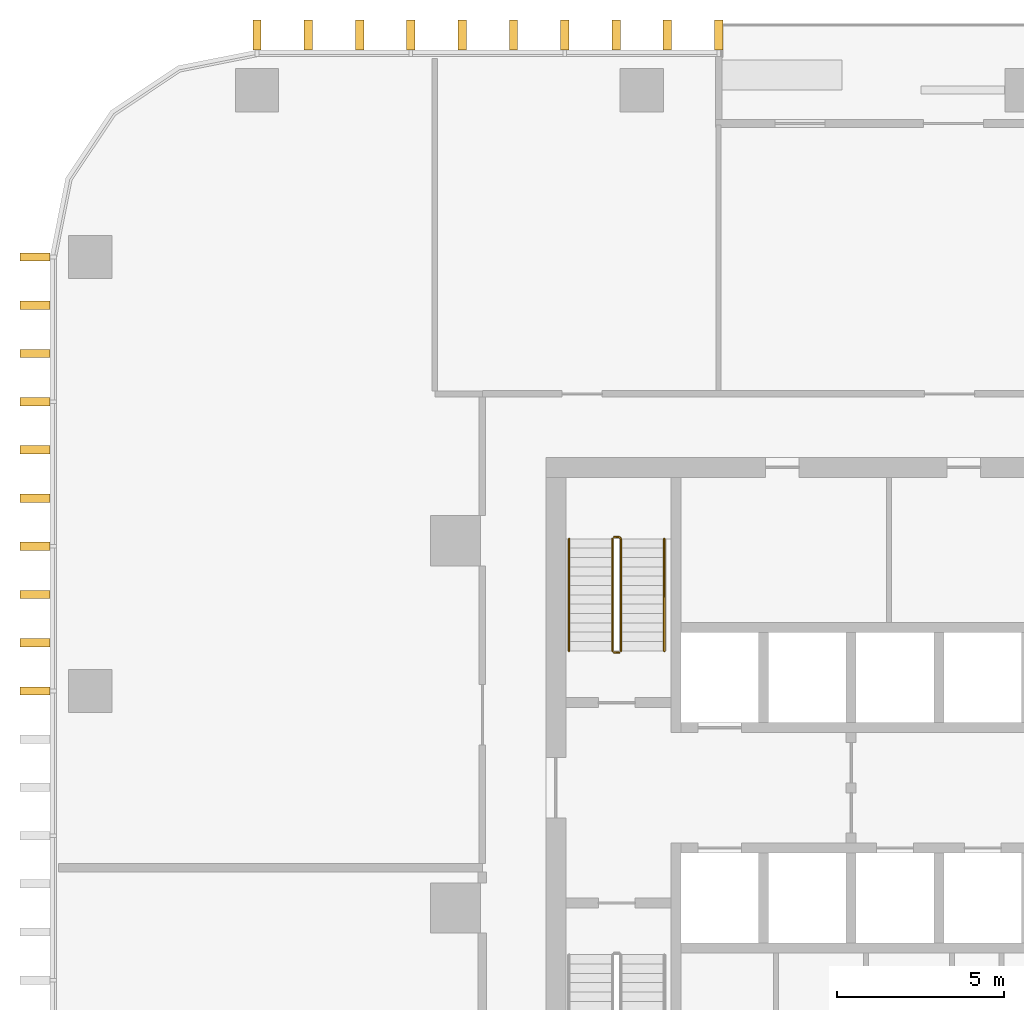
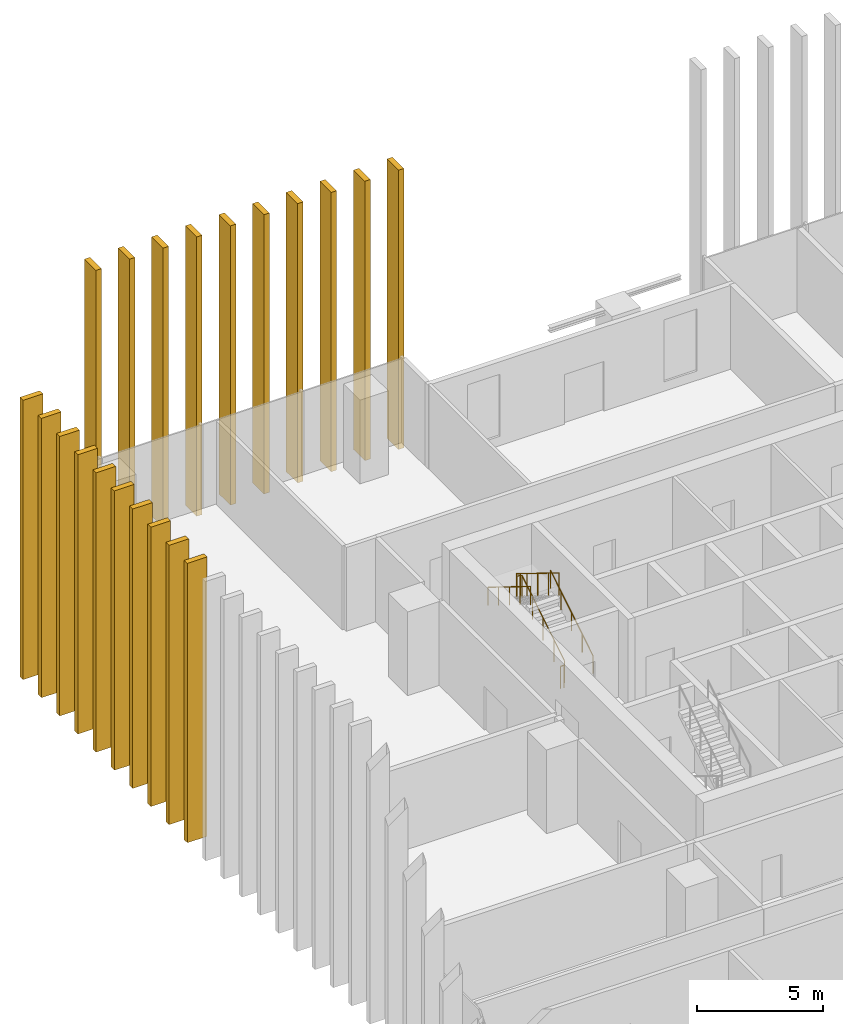
# One storey, part 15 of 17: 20 shading devices, 5 railings.
"""IFC4 building model written with IfcOpenShell, lengths in metres."""

from ifc_helpers import new_model, si_unit, direction, frame, origin, origin_2d, place, context, subcontext, project, spatial, rectangle, circle, extrude, material, type_object, element, save


model = new_model("IFC4")

# Units and contexts
model_context = context("Model", 3, precision=1e-05, world=origin(), true_north=direction((0.0, 1.0)))
body_context = subcontext(model_context, "Body", "Model", "MODEL_VIEW")
ifc_project = project(units=[si_unit("LENGTHUNIT", "METRE"), si_unit("AREAUNIT", "SQUARE_METRE"), si_unit("VOLUMEUNIT", "CUBIC_METRE"), si_unit("PLANEANGLEUNIT", "RADIAN"), si_unit("MASSUNIT", "GRAM", prefix="KILO")], contexts=[model_context])

# Site, building, storey
site_placement = place(None, origin())
site = spatial("IfcSite", under=ifc_project, at=site_placement, CompositionType="ELEMENT")
building_placement = place(site_placement, origin())
building = spatial("IfcBuilding", under=site, at=building_placement, Name="Mopane Tessera Tower", CompositionType="ELEMENT")
storey_placement = place(building_placement, frame((0.0, 0.0, 121.60009765625)))
storey = spatial("IfcBuildingStorey", under=building, at=storey_placement, Name="L24", CompositionType="ELEMENT", Elevation=121.60009765625)

# Shading devices
ifc_material_1 = material(Name="Glazed ceramic tile")
shading_device_type = type_object("IfcShadingDeviceType", Name="Ceramic tile fin 900 x 250 mm", PredefinedType="USERDEFINED", material=ifc_material_1)
for number, where, z_axis, x_axis, name in (
    (1, (-9.219970703125, 26.14990234375, -0.4501953125), (0.0, 0.0, 1.0), (-1.0, 0.0, 0.0), "e:fin:L24:N:7:0"),
    (2, (-10.756591796875, 26.14990234375, -0.4501953125), (0.0, 0.0, 1.0), (-1.0, 0.0, 0.0), "e:fin:L24:N:7:1"),
    (3, (-12.293212890625, 26.14990234375, -0.4501953125), (0.0, 0.0, 1.0), (-1.0, 0.0, 0.0), "e:fin:L24:N:7:2"),
    (4, (-13.830078125, 26.14990234375, -0.4501953125), (0.0, 0.0, 1.0), (-1.0, 0.0, 0.0), "e:fin:L24:N:8:0"),
    (5, (-15.36669921875, 26.14990234375, -0.4501953125), (0.0, 0.0, 1.0), (-1.0, 0.0, 0.0), "e:fin:L24:N:8:1"),
    (6, (-16.9033203125, 26.14990234375, -0.4501953125), (0.0, 0.0, 1.0), (-1.0, 0.0, 0.0), "e:fin:L24:N:8:2"),
    (7, (-18.43994140625, 26.14990234375, -0.4501953125), (0.0, 0.0, 1.0), (-1.0, 0.0, 0.0), "e:fin:L24:N:9:0"),
    (8, (-19.9765625, 26.14990234375, -0.4501953125), (0.0, 0.0, 1.0), (-1.0, 0.0, 0.0), "e:fin:L24:N:9:1"),
    (9, (-21.513427734375, 26.14990234375, -0.4501953125), (0.0, 0.0, 1.0), (-1.0, 0.0, 0.0), "e:fin:L24:N:9:2"),
    (10, (-23.050048828125, 26.14990234375, -0.4501953125), (0.0, 0.0, 1.0), (-1.0, 0.0, 0.0), "e:fin:L24:N:9:3"),
    (11, (-29.699951171875, 19.5, -0.4501953125), (0.0, 0.0, 1.0), (0.0, -1.0, 0.0), "e:fin:L24:W:0:0"),
    (12, (-29.699951171875, 18.0556640625, -0.4501953125), (0.0, 0.0, 1.0), (0.0, -1.0, 0.0), "e:fin:L24:W:0:1"),
    (13, (-29.699951171875, 16.611083984375, -0.4501953125), (0.0, 0.0, 1.0), (0.0, -1.0, 0.0), "e:fin:L24:W:0:2"),
    (14, (-29.699951171875, 15.166748046875, -0.4501953125), (0.0, 0.0, 1.0), (0.0, -1.0, 0.0), "e:fin:L24:W:1:0"),
    (15, (-29.699951171875, 13.72216796875, -0.4501953125), (0.0, 0.0, 1.0), (0.0, -1.0, 0.0), "e:fin:L24:W:1:1"),
    (16, (-29.699951171875, 12.27783203125, -0.4501953125), (0.0, 0.0, 1.0), (0.0, -1.0, 0.0), "e:fin:L24:W:1:2"),
    (17, (-29.699951171875, 10.833251953125, -0.4501953125), (0.0, 0.0, 1.0), (0.0, -1.0, 0.0), "e:fin:L24:W:2:0"),
    (18, (-29.699951171875, 9.388916015625, -0.4501953125), (0.0, 0.0, 1.0), (0.0, -1.0, 0.0), "e:fin:L24:W:2:1"),
    (19, (-29.699951171875, 7.9443359375, -0.4501953125), (0.0, 0.0, 1.0), (0.0, -1.0, 0.0), "e:fin:L24:W:2:2"),
    (20, (-29.699951171875, 6.5, -0.4501953125), (0.0, 0.0, 1.0), (0.0, -1.0, 0.0), "e:fin:L24:W:3:0"),
):
    element("IfcShadingDevice", number, at=place(storey_placement, frame(where, z_axis=z_axis, x_axis=x_axis)), inside=storey, type_object=shading_device_type, Name=name, ObjectType="FIN", PredefinedType="USERDEFINED", context=body_context, shape_type="SweptSolid", body=[
        extrude(rectangle(XDim=0.25, YDim=0.89990234375, at=origin_2d()), origin(), (0.0, 0.0, 1.0), 13.5),
    ])

# Railings
ifc_material_2 = material(Name="Powder-coated steel balustrade", Category="steel")
railing_type_1 = type_object("IfcRailingType", Name="Escape stair guard 1100 mm", PredefinedType="GUARDRAIL", material=ifc_material_2)
railing_1_placement = place(storey_placement, frame((-12.14990234375, 7.699951171875, 0.173095703125)))
element("IfcRailing", 21, at=railing_1_placement, inside=storey, type_object=railing_type_1, Name="L24 ST2 stair guard 1", PredefinedType="GUARDRAIL", context=body_context, shape_type="SweptSolid", body=[
    extrude(circle(Radius=0.02392578125, at=origin_2d()), frame((0.0, 0.0, 1.076171875), z_axis=(0.0, 0.850623216509, 0.525775754039), x_axis=(-1.0, 0.0, 0.0)), (0.0, 0.0, 1.0), 3.9501953125),
    extrude(circle(Radius=0.02392578125, at=origin_2d()), frame((0.0, 3.360107421875, 3.15283203125), z_axis=(-0.707106781187, 0.707106781187, 0.0), x_axis=(-0.707106781187, -0.707106781187, 0.0)), (0.0, 0.0, 1.0), 0.07080078125),
    extrude(circle(Radius=0.02392578125, at=origin_2d()), frame((-0.050048828125, 3.41015625, 3.15283203125), z_axis=(-1.0, 0.0, 0.0), x_axis=(0.0, -1.0, 0.0)), (0.0, 0.0, 1.0), 0.150146484375),
    extrude(circle(Radius=0.02099609375, at=origin_2d()), origin(), (0.0, 0.0, 1.0), 1.052001953125),
    extrude(circle(Radius=0.02099609375, at=origin_2d()), frame((0.0, 0.840087890625, 0.519287109375)), (0.0, 0.0, 1.0), 1.052001953125),
    extrude(circle(Radius=0.02099609375, at=origin_2d()), frame((0.0, 1.68017578125, 1.03857421875)), (0.0, 0.0, 1.0), 1.052001953125),
    extrude(circle(Radius=0.02099609375, at=origin_2d()), frame((0.0, 2.52001953125, 1.5576171875)), (0.0, 0.0, 1.0), 1.052001953125),
    extrude(circle(Radius=0.02099609375, at=origin_2d()), frame((0.0, 3.360107421875, 2.076904296875)), (0.0, 0.0, 1.0), 1.052001953125),
    extrude(circle(Radius=0.02099609375, at=origin_2d()), frame((-0.050048828125, 3.41015625, 2.076904296875)), (0.0, 0.0, 1.0), 1.052001953125),
    extrude(circle(Radius=0.02099609375, at=origin_2d()), frame((-0.2001953125, 3.41015625, 2.076904296875)), (0.0, 0.0, 1.0), 1.052001953125),
])
railing_2_placement = place(storey_placement, frame((-12.39990234375, 11.06005859375, 2.423095703125)))
element("IfcRailing", 22, at=railing_2_placement, inside=storey, type_object=railing_type_1, Name="L24 ST2 stair guard 2", PredefinedType="GUARDRAIL", context=body_context, shape_type="SweptSolid", body=[
    extrude(circle(Radius=0.02392578125, at=origin_2d()), frame((0.0, 0.0, 1.076171875), z_axis=(0.0, -0.850623216509, 0.525775754039), x_axis=(1.0, 0.0, 0.0)), (0.0, 0.0, 1.0), 3.9501953125),
    extrude(circle(Radius=0.02099609375, at=origin_2d()), origin(), (0.0, 0.0, 1.0), 1.052001953125),
    extrude(circle(Radius=0.02099609375, at=origin_2d()), frame((0.0, -0.840087890625, 0.519287109375)), (0.0, 0.0, 1.0), 1.052001953125),
    extrude(circle(Radius=0.02099609375, at=origin_2d()), frame((0.0, -1.68017578125, 1.03857421875)), (0.0, 0.0, 1.0), 1.052001953125),
    extrude(circle(Radius=0.02099609375, at=origin_2d()), frame((0.0, -2.52001953125, 1.5576171875)), (0.0, 0.0, 1.0), 1.052001953125),
    extrude(circle(Radius=0.02099609375, at=origin_2d()), frame((0.0, -3.360107421875, 2.076904296875)), (0.0, 0.0, 1.0), 1.052001953125),
])
railing_3_placement = place(storey_placement, frame((-12.199951171875, 7.64990234375, 0.0)))
element("IfcRailing", 23, at=railing_3_placement, inside=storey, type_object=railing_type_1, Name="L24 ST2 stair guard 3", PredefinedType="GUARDRAIL", context=body_context, shape_type="SweptSolid", body=[
    extrude(circle(Radius=0.02392578125, at=origin_2d()), frame((0.0, 0.0, 1.076171875), z_axis=(-1.0, 0.0, 0.0), x_axis=(0.0, -1.0, 0.0)), (0.0, 0.0, 1.0), 0.150146484375),
    extrude(circle(Radius=0.02099609375, at=origin_2d()), origin(), (0.0, 0.0, 1.0), 1.052001953125),
    extrude(circle(Radius=0.02099609375, at=origin_2d()), frame((-0.150146484375, 0.0, 0.0)), (0.0, 0.0, 1.0), 1.052001953125),
])
ifc_material_3 = material(Name="Powder-coated steel balustrade", Category="steel")
railing_type_2 = type_object("IfcRailingType", Name="Escape stair handrail 900 mm", PredefinedType="HANDRAIL", material=ifc_material_3)
railing_4_placement = place(storey_placement, frame((-10.85009765625, 7.699951171875, 0.173095703125)))
element("IfcRailing", 24, at=railing_4_placement, inside=storey, type_object=railing_type_2, Name="L24 ST2 stair handrail 1", PredefinedType="HANDRAIL", context=body_context, shape_type="SweptSolid", body=[
    extrude(circle(Radius=0.02392578125, at=origin_2d()), frame((0.0, 0.0, 0.8759765625), z_axis=(0.0, 0.850623216509, 0.525775754039), x_axis=(-1.0, 0.0, 0.0)), (0.0, 0.0, 1.0), 3.9501953125),
    extrude(circle(Radius=0.02099609375, at=origin_2d()), origin(), (0.0, 0.0, 1.0), 0.851806640625),
    extrude(circle(Radius=0.02099609375, at=origin_2d()), frame((0.0, 0.840087890625, 0.519287109375)), (0.0, 0.0, 1.0), 0.851806640625),
    extrude(circle(Radius=0.02099609375, at=origin_2d()), frame((0.0, 1.68017578125, 1.03857421875)), (0.0, 0.0, 1.0), 0.851806640625),
    extrude(circle(Radius=0.02099609375, at=origin_2d()), frame((0.0, 2.52001953125, 1.5576171875)), (0.0, 0.0, 1.0), 0.851806640625),
    extrude(circle(Radius=0.02099609375, at=origin_2d()), frame((0.0, 3.360107421875, 2.076904296875)), (0.0, 0.0, 1.0), 0.851806640625),
])
railing_5_placement = place(storey_placement, frame((-13.699951171875, 11.06005859375, 2.423095703125)))
element("IfcRailing", 25, at=railing_5_placement, inside=storey, type_object=railing_type_2, Name="L24 ST2 stair handrail 2", PredefinedType="HANDRAIL", context=body_context, shape_type="SweptSolid", body=[
    extrude(circle(Radius=0.02392578125, at=origin_2d()), frame((0.0, 0.0, 0.8759765625), z_axis=(0.0, -0.850623216509, 0.525775754039), x_axis=(1.0, 0.0, 0.0)), (0.0, 0.0, 1.0), 3.9501953125),
    extrude(circle(Radius=0.02099609375, at=origin_2d()), origin(), (0.0, 0.0, 1.0), 0.851806640625),
    extrude(circle(Radius=0.02099609375, at=origin_2d()), frame((0.0, -0.840087890625, 0.519287109375)), (0.0, 0.0, 1.0), 0.851806640625),
    extrude(circle(Radius=0.02099609375, at=origin_2d()), frame((0.0, -1.68017578125, 1.03857421875)), (0.0, 0.0, 1.0), 0.851806640625),
    extrude(circle(Radius=0.02099609375, at=origin_2d()), frame((0.0, -2.52001953125, 1.5576171875)), (0.0, 0.0, 1.0), 0.851806640625),
    extrude(circle(Radius=0.02099609375, at=origin_2d()), frame((0.0, -3.360107421875, 2.076904296875)), (0.0, 0.0, 1.0), 0.851806640625),
])

save(model, "model.ifc")
